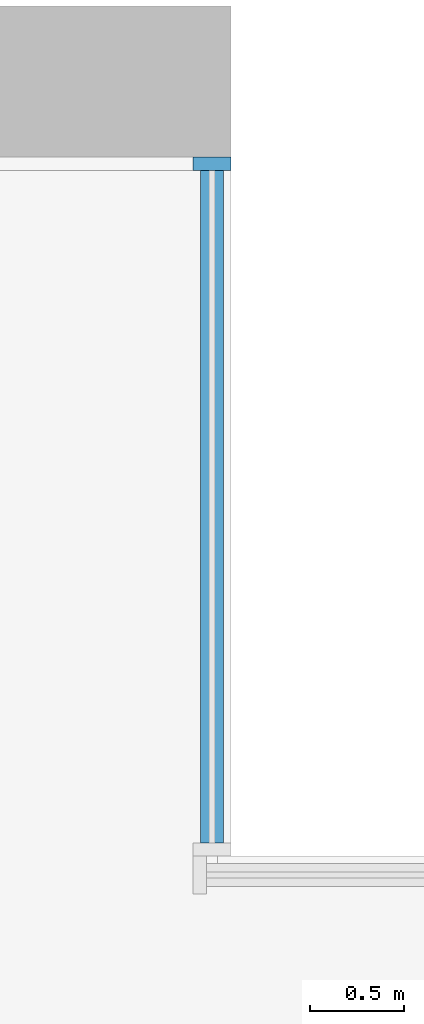
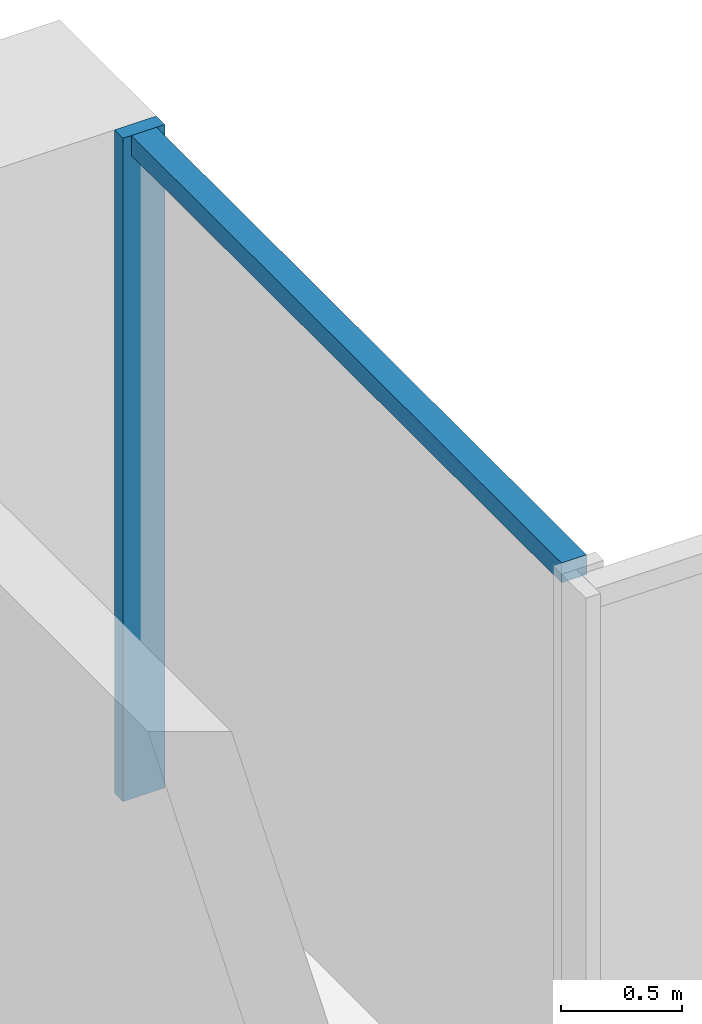
# One storey, part 6 of 15: 2 members, 1 element without a shape of its own.
"""IFC4 building model written with IfcOpenShell, lengths in metres."""

from ifc_helpers import new_model, si_unit, direction, frame, origin, origin_2d, place, context, subcontext, project, spatial, rectangle, extrude, material, material_profile, profile_set, type_object, element, aggregate, save


model = new_model("IFC4")

# Units and contexts
model_context = context("Model", 3, precision=1e-05, world=origin(), true_north=direction((0.0, 1.0)))
body_context = subcontext(model_context, "Body", "Model", "MODEL_VIEW")
ifc_project = project(units=[si_unit("LENGTHUNIT", "METRE"), si_unit("AREAUNIT", "SQUARE_METRE"), si_unit("VOLUMEUNIT", "CUBIC_METRE"), si_unit("PLANEANGLEUNIT", "RADIAN"), si_unit("MASSUNIT", "GRAM", prefix="KILO")], contexts=[model_context])

# Site, building, storey
site_placement = place(None, origin())
site = spatial("IfcSite", under=ifc_project, at=site_placement, CompositionType="ELEMENT")
building_placement = place(site_placement, origin())
building = spatial("IfcBuilding", under=site, at=building_placement, Name="Calvaro Tower", CompositionType="ELEMENT")
storey_placement = place(building_placement, frame((0.0, 0.0, 128.75)))
storey = spatial("IfcBuildingStorey", under=building, at=storey_placement, Name="L32", CompositionType="ELEMENT", Elevation=128.75)

# Curtain wall, members
ifc_material_1 = material(Name="Anodised aluminium", Category="aluminium")
curtain_wall_type = type_object("IfcCurtainWallType", Name="Office curtain wall, middle zone", PredefinedType="NOTDEFINED", material=ifc_material_1)
curtain_wall_placement = place(storey_placement, origin())
curtain_wall = element("IfcCurtainWall", 1, at=curtain_wall_placement, inside=storey, type_object=curtain_wall_type, Name="CW2 corner curtain wall", PredefinedType="NOTDEFINED")
ifc_material_2 = material(Name="Anodised aluminium", Category="aluminium")
ifc_material_profile_1 = material_profile(ifc_material_2, rectangle(XDim=0.199951171875, YDim=0.070068359375, at=origin_2d()), Name="Mullion S2 70 x 200")
ifc_profile_set_1 = profile_set([ifc_material_profile_1], Name="Anodised aluminium")
member_type_1 = type_object("IfcMemberType", Name="Mullion S2 70 x 200", PredefinedType="MULLION", material=ifc_profile_set_1)
member_1_placement = place(storey_placement, frame((66.35009765625, 45.1650390625, 0.0), z_axis=(0.0, 0.0, 1.0), x_axis=(-1.0, 0.0, 0.0)))
member_1 = element("IfcMember", 2, at=member_1_placement, type_object=member_type_1, Name="CW2 mullion 2", PredefinedType="MULLION", context=body_context, shape_type="SweptSolid", body=[
    extrude(rectangle(XDim=0.199951171875, YDim=0.070068359375, at=origin_2d()), origin(), (0.0, 0.0, 1.0), 3.35009765625),
])
ifc_material_3 = material(Name="Anodised aluminium", Category="aluminium")
ifc_material_profile_2 = material_profile(ifc_material_3, rectangle(XDim=0.1201171875, YDim=0.10009765625, at=origin_2d()), Name="Transom S2 100 x 120")
ifc_profile_set_2 = profile_set([ifc_material_profile_2], Name="Anodised aluminium")
member_type_2 = type_object("IfcMemberType", Name="Transom S2 100 x 120", PredefinedType="USERDEFINED", material=ifc_profile_set_2)
member_2_placement = place(storey_placement, frame((66.35009765625, 41.570068359375, 3.300048828125), z_axis=(0.0, 1.0, 0.0), x_axis=(-1.0, 0.0, 0.0)))
member_2 = element("IfcMember", 3, at=member_2_placement, type_object=member_type_2, Name="CW2 transom 1.1", ObjectType="TRANSOM", PredefinedType="USERDEFINED", context=body_context, shape_type="SweptSolid", body=[
    extrude(rectangle(XDim=0.1201171875, YDim=0.10009765625, at=origin_2d()), origin(), (0.0, 0.0, 1.0), 3.559814453125),
])
aggregate(curtain_wall, [member_1, member_2])

save(model, "model.ifc")
